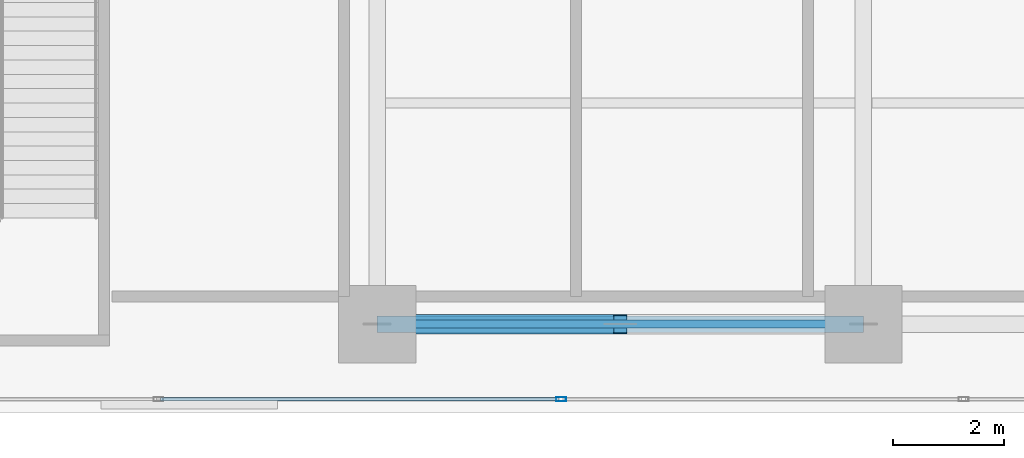
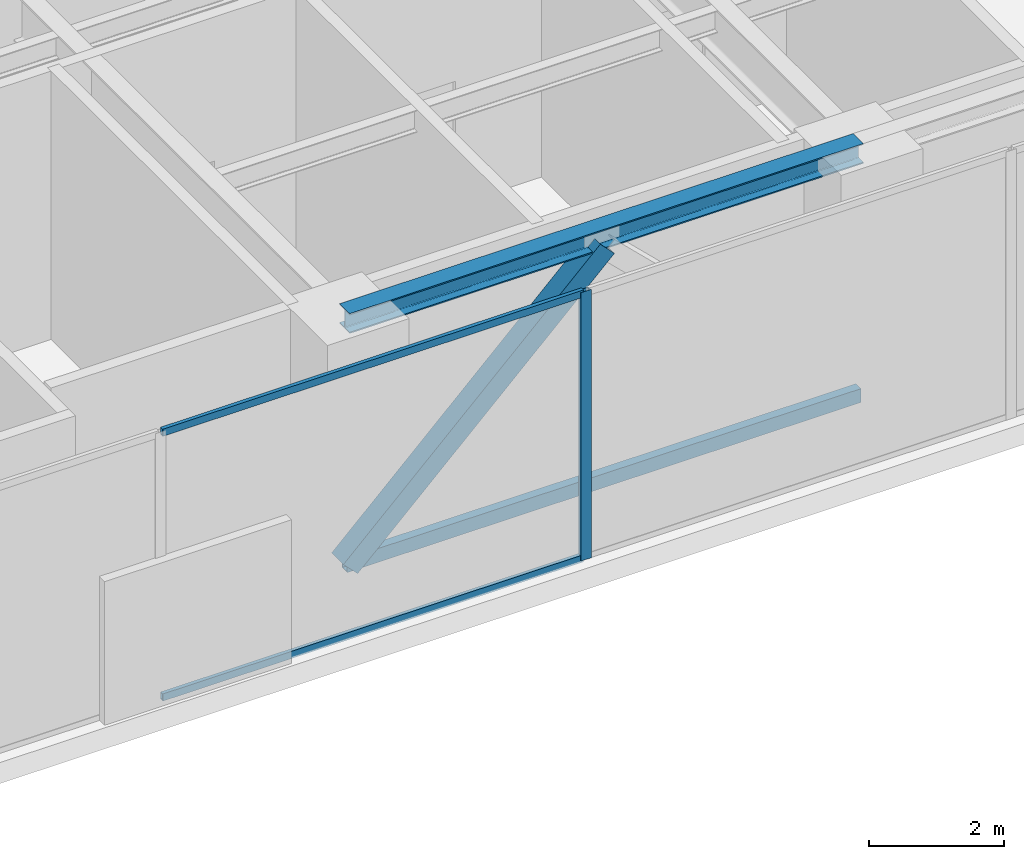
# One storey, part 14 of 37: 5 members, 1 beam, 1 element without a shape of its own.
"""IFC4 building model written with IfcOpenShell, lengths in metres."""

from ifc_helpers import new_model, si_unit, direction, frame, origin, origin_with_axes, origin_2d, place, context, subcontext, project, spatial, hollow_rectangle, i_section, extrude, source, transform, mapped, material, layer, layer_set, material_profile, profile_set, type_object, element, aggregate, save


model = new_model("IFC4")

# Units and contexts
model_context = context("Model", 3, precision=1e-05, world=origin(), true_north=direction((0.0, 1.0)))
body_context = subcontext(model_context, "Body", "Model", "MODEL_VIEW")
ifc_project = project(units=[si_unit("LENGTHUNIT", "METRE"), si_unit("AREAUNIT", "SQUARE_METRE"), si_unit("VOLUMEUNIT", "CUBIC_METRE"), si_unit("PLANEANGLEUNIT", "RADIAN"), si_unit("MASSUNIT", "GRAM", prefix="KILO")], contexts=[model_context])

# Site, building, storey
site_placement = place(None, origin())
site = spatial("IfcSite", under=ifc_project, at=site_placement, CompositionType="ELEMENT")
building_placement = place(site_placement, origin())
building = spatial("IfcBuilding", under=site, at=building_placement, Name="Kolvaren Waterfront Exchange", CompositionType="ELEMENT")
storey_placement = place(building_placement, frame((0.0, 0.0, 141.10009765625)))
storey = spatial("IfcBuildingStorey", under=building, at=storey_placement, Name="L36", CompositionType="ELEMENT", Elevation=141.10009765625)

# Beam
ifc_material_1 = material(Name="Steel S355", Category="steel")
ifc_material_profile_1 = material_profile(ifc_material_1, i_section(OverallWidth=0.300048828125, OverallDepth=0.360107421875, WebThickness=0.012451171875, FlangeThickness=0.0224609375, FilletRadius=0.027099609375, at=origin_2d()), Name="HEB360")
ifc_profile_set_1 = profile_set([ifc_material_profile_1], Name="Steel S355")
beam_type = type_object("IfcBeamType", Name="STR-BM-HEB360", PredefinedType="SPANDREL", material=ifc_profile_set_1)
beam_placement = place(storey_placement, frame((36.800048828125, 5.199951171875, 4.679931640625), z_axis=(1.0, 0.0, 0.0), x_axis=(0.0, 1.0, 0.0)))
element("IfcBeam", 1, at=beam_placement, inside=storey, type_object=beam_type, Name="L36 east-arm spandrel S3", PredefinedType="SPANDREL", context=body_context, shape_type="SweptSolid", body=[
    extrude(i_section(OverallWidth=0.300048828125, OverallDepth=0.360107421875, WebThickness=0.012451171875, FlangeThickness=0.0224609375, FilletRadius=0.027099609375, at=origin_2d()), origin(), (0.0, 0.0, 1.0), 8.800048828125),
])

# Members
ifc_material_2 = material(Name="Steel S460", Category="steel")
ifc_material_profile_2 = material_profile(ifc_material_2, hollow_rectangle(XDim=0.14990234375, YDim=0.25, WallThickness=0.010009765625, at=origin_2d()), Name="RHS250x150x10")
ifc_profile_set_2 = profile_set([ifc_material_profile_2], Name="Steel S460")
member_type_1 = type_object("IfcMemberType", Name="STR-BR-RHS250", PredefinedType="CHORD", material=ifc_profile_set_2)
member_1_placement = place(storey_placement, frame((36.800048828125, 5.199951171875, 0.25), z_axis=(1.0, 0.0, 0.0), x_axis=(0.0, 1.0, 0.0)))
element("IfcMember", 2, at=member_1_placement, inside=storey, type_object=member_type_1, Name="L36 belt-truss bottom chord BT3", PredefinedType="CHORD", context=body_context, shape_type="SweptSolid", body=[
    extrude(hollow_rectangle(XDim=0.14990234375, YDim=0.25, WallThickness=0.010009765625, at=origin_2d()), origin(), (0.0, 0.0, 1.0), 8.800048828125),
])
ifc_material_profile_3 = material_profile(ifc_material_2, hollow_rectangle(XDim=0.35009765625, YDim=0.35009765625, WallThickness=0.01611328125, at=origin_2d()), Name="SHS350x350x16")
ifc_profile_set_3 = profile_set([ifc_material_profile_3], Name="Steel S460")
member_type_2 = type_object("IfcMemberType", Name="STR-BR-SHS350", PredefinedType="BRACE", material=ifc_profile_set_3)
member_2_placement = place(storey_placement, frame((36.800048828125, 5.199951171875, 0.25), z_axis=(0.718435680477, 0.0, 0.695593396329), x_axis=(0.0, 1.0, 0.0)))
element("IfcMember", 3, at=member_2_placement, inside=storey, type_object=member_type_2, Name="L36 belt-truss chevron brace BT3L", PredefinedType="BRACE", context=body_context, shape_type="SweptSolid", body=[
    extrude(hollow_rectangle(XDim=0.35009765625, YDim=0.35009765625, WallThickness=0.01611328125, at=origin_2d()), origin(), (0.0, 0.0, 1.0), 6.124267578125),
])

# Curtain wall, members
ifc_material_3 = material(Name="Anodised dark bronze spandrel aluminium", Category="aluminium")
ifc_layer = layer(ifc_material_3, 0.219970703125, Name="Anodised dark bronze spandrel aluminium")
ifc_layer_set = layer_set([ifc_layer], Name="Anodised dark bronze spandrel aluminium")
curtain_wall_type = type_object("IfcCurtainWallType", Name="ARC-CW-SYS6", PredefinedType="USERDEFINED", material=ifc_layer_set)
curtain_wall_placement = place(storey_placement, origin())
curtain_wall = element("IfcCurtainWall", 4, at=curtain_wall_placement, inside=storey, type_object=curtain_wall_type, Name="L36 stick curtain wall CW6 (CW-L36-S)", ObjectType="STICK CURTAIN WALL", PredefinedType="USERDEFINED")
ifc_material_4 = material(Name="Anodised bronze aluminium 6063-T6", Category="aluminium")
ifc_material_profile_4 = material_profile(ifc_material_4, hollow_rectangle(XDim=0.074951171875, YDim=0.179931640625, WallThickness=0.00439453125, at=origin_2d()), Name="ALU-MUL-180x75x4.5")
ifc_profile_set_4 = profile_set([ifc_material_profile_4], Name="Anodised bronze aluminium 6063-T6")
member_type_3 = type_object("IfcMemberType", Name="ARC-CWM-180", PredefinedType="MULLION", material=ifc_profile_set_4)
shared_shape_1 = source(origin_with_axes(), body_context, "Body", "SweptSolid", [
    extrude(hollow_rectangle(XDim=0.074951171875, YDim=0.179931640625, WallThickness=0.00439453125, at=origin_2d()), origin(), (0.0, 0.0, 1.0), 4.85986328125),
])
member_3_placement = place(storey_placement, frame((40.128662109375, 3.840087890625, 0.0), z_axis=(0.0, 0.0, 1.0), x_axis=(0.0, 1.0, 0.0)))
member_3 = element("IfcMember", 5, at=member_3_placement, type_object=member_type_3, Name="CW6 mullion 6", PredefinedType="MULLION", context=body_context, shape_type="MappedRepresentation", body=[
    mapped(shared_shape_1, transform((0.0, 0.0, 0.0), x_axis=(1.0, 0.0, 0.0), y_axis=(0.0, 1.0, 0.0), z_axis=(0.0, 0.0, 1.0), scale=1.0)),
])
ifc_material_profile_5 = material_profile(ifc_material_4, hollow_rectangle(XDim=0.06494140625, YDim=0.1298828125, WallThickness=0.00390625, at=origin_2d()), Name="ALU-TRN-130x65x4")
ifc_profile_set_5 = profile_set([ifc_material_profile_5], Name="Anodised bronze aluminium 6063-T6")
member_type_4 = type_object("IfcMemberType", Name="ARC-CWT-130", PredefinedType="USERDEFINED", material=ifc_profile_set_5)
shared_shape_2 = source(origin_with_axes(), body_context, "Body", "SweptSolid", [
    extrude(hollow_rectangle(XDim=0.06494140625, YDim=0.1298828125, WallThickness=0.00390625, at=origin_2d()), origin(), (0.0, 0.0, 1.0), 7.210693359375),
])
member_4_placement = place(storey_placement, frame((32.88037109375, 3.840087890625, 0.032470703125), z_axis=(1.0, 0.0, 0.0), x_axis=(0.0, 1.0, 0.0)))
member_4 = element("IfcMember", 6, at=member_4_placement, type_object=member_type_4, Name="CW6 transom 5.1", ObjectType="TRANSOM", PredefinedType="USERDEFINED", context=body_context, shape_type="MappedRepresentation", body=[
    mapped(shared_shape_2, transform((0.0, 0.0, 0.0), x_axis=(1.0, 0.0, 0.0), y_axis=(0.0, 1.0, 0.0), z_axis=(0.0, 0.0, 1.0), scale=1.0)),
])
member_5_placement = place(storey_placement, frame((32.88037109375, 3.840087890625, 4.827392578125), z_axis=(1.0, 0.0, 0.0), x_axis=(0.0, 1.0, 0.0)))
member_5 = element("IfcMember", 7, at=member_5_placement, type_object=member_type_4, Name="CW6 transom 5.2", ObjectType="TRANSOM", PredefinedType="USERDEFINED", context=body_context, shape_type="MappedRepresentation", body=[
    mapped(shared_shape_2, transform((0.0, 0.0, 0.0), x_axis=(1.0, 0.0, 0.0), y_axis=(0.0, 1.0, 0.0), z_axis=(0.0, 0.0, 1.0), scale=1.0)),
])
aggregate(curtain_wall, [member_3, member_4, member_5])

save(model, "model.ifc")
